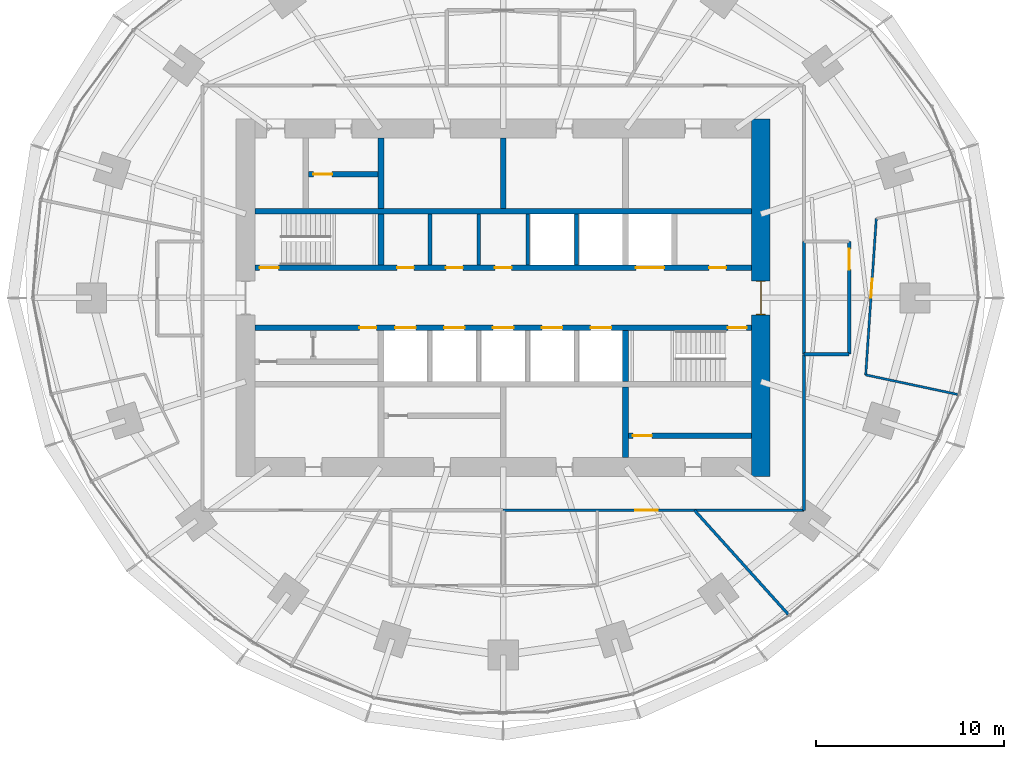
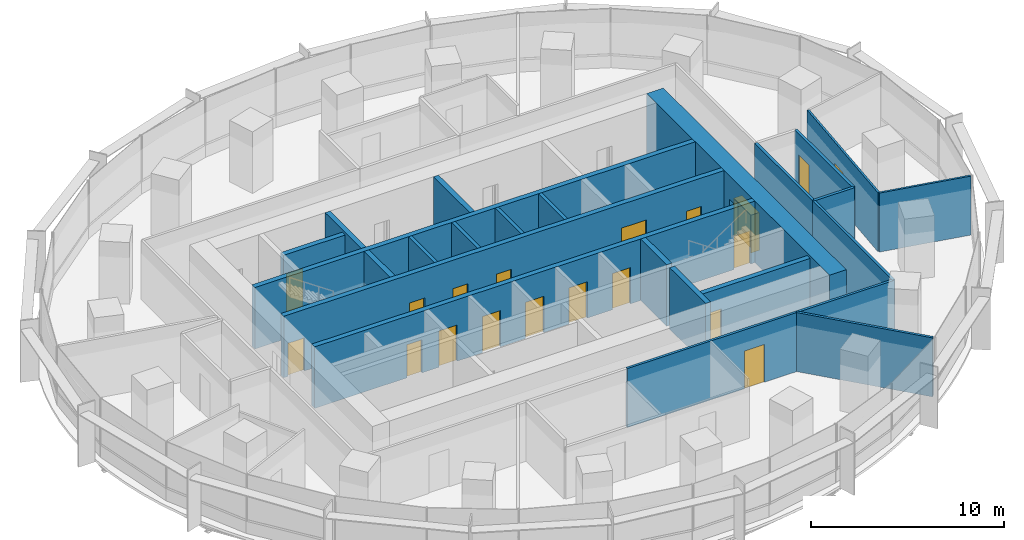
# One storey, part 11 of 14: 23 walls, 19 doors, 19 openings.
"""IFC4 building model written with IfcOpenShell, lengths in metres."""

from ifc_helpers import new_model, si_unit, direction, frame, frame_2d, origin, place, context, subcontext, project, spatial, rectangle, extrude, material, layer, layer_set, type_object, element, fill, save


model = new_model("IFC4")

# Units and contexts
model_context = context("Model", 3, precision=1e-05, world=origin(), true_north=direction((0.0, 1.0)))
body_context = subcontext(model_context, "Body", "Model", "MODEL_VIEW")
ifc_project = project(units=[si_unit("LENGTHUNIT", "METRE"), si_unit("AREAUNIT", "SQUARE_METRE"), si_unit("VOLUMEUNIT", "CUBIC_METRE"), si_unit("PLANEANGLEUNIT", "RADIAN"), si_unit("MASSUNIT", "GRAM", prefix="KILO")], contexts=[model_context])

# Site, building, storey
site_placement = place(None, origin())
site = spatial("IfcSite", under=ifc_project, at=site_placement, CompositionType="ELEMENT")
building_placement = place(site_placement, origin())
building = spatial("IfcBuilding", under=site, at=building_placement, Name="Marramba Exchange Tower", CompositionType="ELEMENT")
storey_placement = place(building_placement, frame((0.0, 0.0, 119.699951171875)))
storey = spatial("IfcBuildingStorey", under=building, at=storey_placement, Name="L28", CompositionType="ELEMENT", Elevation=119.699951171875)

# Walls
ifc_material_1 = material(Name="Plasterboard on staggered double steel studs, acoustic insulation", Category="steel")
ifc_layer_1 = layer(ifc_material_1, 0.169921875)
ifc_layer_set_1 = layer_set([ifc_layer_1], Name="Acoustic partition 170")
wall_type_1 = type_object("IfcWallType", Name="Acoustic partition 170", PredefinedType="PARTITIONING", material=ifc_layer_set_1)
wall_1_placement = place(storey_placement, frame((16.0, -3.0, 0.0), z_axis=(0.0, 0.0, 1.0), x_axis=(1.0, 0.0, 0.0)))
element("IfcWall", 1, at=wall_1_placement, inside=storey, type_object=wall_type_1, Name="Acoustic partition L28 18", PredefinedType="PARTITIONING", context=body_context, shape_type="SweptSolid", body=[
    extrude(rectangle(XDim=2.39990234375, YDim=0.169921875, at=frame_2d((1.199951171875, 0.0))), origin(), (0.0, 0.0, 1.0), 3.739990234375),
])
wall_2_placement = place(storey_placement, frame((16.0, 3.0, 0.0), z_axis=(0.0, 0.0, 1.0), x_axis=(0.0, -1.0, 0.0)))
element("IfcWall", 2, at=wall_2_placement, inside=storey, type_object=wall_type_1, Name="Acoustic partition L28 19", PredefinedType="PARTITIONING", context=body_context, shape_type="SweptSolid", body=[
    extrude(rectangle(XDim=6.0, YDim=0.169921875, at=frame_2d((3.0, 0.0))), origin(), (0.0, 0.0, 1.0), 3.739990234375),
])

# Wall, opening, door
wall_3_placement = place(storey_placement, frame((18.39990234375, -3.0, 0.0), z_axis=(0.0, 0.0, 1.0), x_axis=(0.0, 1.0, 0.0)))
wall_3 = element("IfcWall", 3, at=wall_3_placement, inside=storey, type_object=wall_type_1, Name="Acoustic partition L28 20", PredefinedType="PARTITIONING", context=body_context, shape_type="SweptSolid", body=[
    extrude(rectangle(XDim=6.0, YDim=0.169921875, at=frame_2d((3.0, 0.0))), origin(), (0.0, 0.0, 1.0), 3.739990234375),
])
opening_1_placement = place(wall_3_placement, frame((4.5, 0.0, 0.0)))
opening_1 = element("IfcOpeningElement", 4, at=opening_1_placement, cuts=wall_3, Name="Opening D15", PredefinedType="OPENING", context=body_context, shape_type="SweptSolid", body=[
    extrude(rectangle(XDim=1.10009765625, YDim=2.39990234375, at=frame_2d((0.550048828125, 1.199951171875))), frame((0.0, 0.094970703125, 0.0), z_axis=(0.0, -1.0, 0.0), x_axis=(1.0, 0.0, 0.0)), (0.0, 0.0, 1.0), 0.18994140625),
])
ifc_material_2 = material(Name="Timber door", Category="wood")
door_type_1 = type_object("IfcDoorType", Name="Glazed meeting room door 1100x2400", OperationType="SINGLE_SWING_LEFT", PredefinedType="DOOR", material=ifc_material_2)
door_1_placement = place(opening_1_placement, origin())
door_1 = element("IfcDoor", 5, at=door_1_placement, inside=storey, type_object=door_type_1, Name="D15 Meeting Room 1 L28", OperationType="SINGLE_SWING_RIGHT", OverallHeight=2.39990234375, OverallWidth=1.10009765625, PredefinedType="DOOR", context=body_context, shape_type="SweptSolid", body=[
    extrude(rectangle(XDim=1.10009765625, YDim=2.39990234375, at=frame_2d((0.550048828125, 1.199951171875))), frame((0.0, 0.02490234375, 0.0), z_axis=(0.0, -1.0, 0.0), x_axis=(1.0, 0.0, 0.0)), (0.0, 0.0, 1.0), 0.050048828125),
])
fill(opening_1, door_1)

# Walls
ifc_material_3 = material(Name="Concrete N50", Category="concrete")
ifc_layer_2 = layer(ifc_material_3, 0.199951171875)
ifc_layer_set_2 = layer_set([ifc_layer_2], Name="Core shaft wall 200")
wall_type_2 = type_object("IfcWallType", Name="Core shaft wall 200", PredefinedType="SHEAR", material=ifc_layer_set_2)
for number, where, z_axis, x_axis, name in (
    (6, (-3.89990234375, 1.75, 0.0), (0.0, 0.0, 1.0), (0.0, 1.0, 0.0), "Core wall SHN1 L28"),
    (7, (-1.300048828125, 1.75, 0.0), (0.0, 0.0, 1.0), (0.0, 1.0, 0.0), "Core wall SHN2 L28"),
    (8, (1.300048828125, 1.75, 0.0), (0.0, 0.0, 1.0), (0.0, 1.0, 0.0), "Core wall SHN3 L28"),
    (9, (3.89990234375, 1.75, 0.0), (0.0, 0.0, 1.0), (0.0, 1.0, 0.0), "Core wall SHN4 L28"),
):
    element("IfcWall", number, at=place(storey_placement, frame(where, z_axis=z_axis, x_axis=x_axis)), inside=storey, type_object=wall_type_2, Name=name, PredefinedType="SHEAR", context=body_context, shape_type="SweptSolid", body=[
        extrude(rectangle(XDim=2.699951171875, YDim=0.199951171875, at=frame_2d((1.35009765625, 0.0))), origin(), (0.0, 0.0, 1.0), 3.900146484375),
    ])

# Wall, opening, door
ifc_layer_3 = layer(ifc_material_3, 1.0)
ifc_layer_set_3 = layer_set([ifc_layer_3], Name="Core wall 1000")
wall_type_3 = type_object("IfcWallType", Name="Core wall 1000", PredefinedType="SHEAR", material=ifc_layer_set_3)
wall_4_placement = place(storey_placement, frame((13.699951171875, -9.5, 0.0), z_axis=(0.0, 0.0, 1.0), x_axis=(0.0, 1.0, 0.0)))
wall_4 = element("IfcWall", 10, at=wall_4_placement, inside=storey, type_object=wall_type_3, Name="Core wall E L28", PredefinedType="SHEAR", context=body_context, shape_type="SweptSolid", body=[
    extrude(rectangle(XDim=19.0, YDim=1.0, at=frame_2d((9.5, 0.0))), origin(), (0.0, 0.0, 1.0), 3.900146484375),
])
opening_2_placement = place(wall_4_placement, frame((8.60009765625, 0.0, 0.0)))
opening_2 = element("IfcOpeningElement", 11, at=opening_2_placement, cuts=wall_4, Name="Opening D1", PredefinedType="OPENING", context=body_context, shape_type="SweptSolid", body=[
    extrude(rectangle(XDim=1.800048828125, YDim=2.39990234375, at=frame_2d((0.89990234375, 1.199951171875))), frame((0.0, 0.510009765625, 0.0), z_axis=(0.0, -1.0, 0.0), x_axis=(1.0, 0.0, 0.0)), (0.0, 0.0, 1.0), 1.02001953125),
])
ifc_material_4 = material(Name="Steel-framed door", Category="steel")
door_type_2 = type_object("IfcDoorType", Name="Lobby exit door 1800x2400", OperationType="DOUBLE_DOOR_SINGLE_SWING", PredefinedType="DOOR", material=ifc_material_4)
door_2_placement = place(opening_2_placement, origin())
door_2 = element("IfcDoor", 12, at=door_2_placement, inside=storey, type_object=door_type_2, Name="D1 lobby exit east L28", OperationType="DOUBLE_DOOR_SINGLE_SWING", OverallHeight=2.39990234375, OverallWidth=1.800048828125, PredefinedType="DOOR", context=body_context, shape_type="SweptSolid", body=[
    extrude(rectangle(XDim=1.719970703125, YDim=2.35986328125, at=frame_2d((0.89990234375, 1.179931640625))), frame((0.0, 0.02490234375, 0.0), z_axis=(0.0, -1.0, 0.0), x_axis=(1.0, 0.0, 0.0)), (0.0, 0.0, 1.0), 0.050048828125),
    extrude(rectangle(XDim=0.04, YDim=2.39990234375, at=frame_2d((0.02001953125, 1.199951171875))), frame((0.0, 0.25, 0.0), z_axis=(0.0, -1.0, 0.0), x_axis=(1.0, 0.0, 0.0)), (0.0, 0.0, 1.0), 0.5),
    extrude(rectangle(XDim=0.04, YDim=2.39990234375, at=frame_2d((1.780029296875, 1.199951171875))), frame((0.0, 0.25, 0.0), z_axis=(0.0, -1.0, 0.0), x_axis=(1.0, 0.0, 0.0)), (0.0, 0.0, 1.0), 0.5),
    extrude(rectangle(XDim=1.719970703125, YDim=0.04, at=frame_2d((0.89990234375, 2.3798828125))), frame((0.0, 0.25, 0.0), z_axis=(0.0, -1.0, 0.0), x_axis=(1.0, 0.0, 0.0)), (0.0, 0.0, 1.0), 0.5),
])
fill(opening_2, door_2)

# Wall, openings, doors
ifc_layer_4 = layer(ifc_material_3, 0.300048828125)
ifc_layer_set_4 = layer_set([ifc_layer_4], Name="Core wall 300")
wall_type_4 = type_object("IfcWallType", Name="Core wall 300", PredefinedType="SHEAR", material=ifc_layer_set_4)
wall_5_placement = place(storey_placement, frame((-13.199951171875, 1.60009765625, 0.0), z_axis=(0.0, 0.0, 1.0), x_axis=(1.0, 0.0, 0.0)))
wall_5 = element("IfcWall", 13, at=wall_5_placement, inside=storey, type_object=wall_type_4, Name="Core wall LN L28", PredefinedType="SHEAR", context=body_context, shape_type="SweptSolid", body=[
    extrude(rectangle(XDim=26.39990234375, YDim=0.300048828125, at=frame_2d((13.199951171875, 0.0))), origin(), (0.0, 0.0, 1.0), 3.900146484375),
])
opening_3_placement = place(wall_5_placement, frame((0.25, 0.0, 0.0)))
opening_3 = element("IfcOpeningElement", 14, at=opening_3_placement, cuts=wall_5, Name="Opening D2", PredefinedType="OPENING", context=body_context, shape_type="SweptSolid", body=[
    extrude(rectangle(XDim=1.0, YDim=2.10009765625, at=frame_2d((0.5, 1.050048828125))), frame((0.0, 0.159912109375, 0.0), z_axis=(0.0, -1.0, 0.0), x_axis=(1.0, 0.0, 0.0)), (0.0, 0.0, 1.0), 0.320068359375),
])
opening_4_placement = place(wall_5_placement, frame((20.25, 0.0, 0.0)))
opening_4 = element("IfcOpeningElement", 15, at=opening_4_placement, cuts=wall_5, Name="Opening LD3", PredefinedType="OPENING", context=body_context, shape_type="SweptSolid", body=[
    extrude(rectangle(XDim=1.5, YDim=2.39990234375, at=frame_2d((0.75, 1.199951171875))), frame((0.0, 0.159912109375, 0.0), z_axis=(0.0, -1.0, 0.0), x_axis=(1.0, 0.0, 0.0)), (0.0, 0.0, 1.0), 0.320068359375),
])
opening_5_placement = place(wall_5_placement, frame((7.550048828125, 0.0, 0.0)))
opening_5 = element("IfcOpeningElement", 16, at=opening_5_placement, cuts=wall_5, Name="Opening D5", PredefinedType="OPENING", context=body_context, shape_type="SweptSolid", body=[
    extrude(rectangle(XDim=0.89990234375, YDim=2.10009765625, at=frame_2d((0.449951171875, 1.050048828125))), frame((0.0, 0.159912109375, 0.0), z_axis=(0.0, -1.0, 0.0), x_axis=(1.0, 0.0, 0.0)), (0.0, 0.0, 1.0), 0.320068359375),
])
opening_6_placement = place(wall_5_placement, frame((10.14990234375, 0.0, 0.0)))
opening_6 = element("IfcOpeningElement", 17, at=opening_6_placement, cuts=wall_5, Name="Opening D5", PredefinedType="OPENING", context=body_context, shape_type="SweptSolid", body=[
    extrude(rectangle(XDim=0.89990234375, YDim=2.10009765625, at=frame_2d((0.449951171875, 1.050048828125))), frame((0.0, 0.159912109375, 0.0), z_axis=(0.0, -1.0, 0.0), x_axis=(1.0, 0.0, 0.0)), (0.0, 0.0, 1.0), 0.320068359375),
])
opening_7_placement = place(wall_5_placement, frame((12.75, 0.0, 0.0)))
opening_7 = element("IfcOpeningElement", 18, at=opening_7_placement, cuts=wall_5, Name="Opening D5", PredefinedType="OPENING", context=body_context, shape_type="SweptSolid", body=[
    extrude(rectangle(XDim=0.89990234375, YDim=2.10009765625, at=frame_2d((0.449951171875, 1.050048828125))), frame((0.0, 0.159912109375, 0.0), z_axis=(0.0, -1.0, 0.0), x_axis=(1.0, 0.0, 0.0)), (0.0, 0.0, 1.0), 0.320068359375),
])
opening_8_placement = place(wall_5_placement, frame((24.14990234375, 0.0, 0.0)))
opening_8 = element("IfcOpeningElement", 19, at=opening_8_placement, cuts=wall_5, Name="Opening D5", PredefinedType="OPENING", context=body_context, shape_type="SweptSolid", body=[
    extrude(rectangle(XDim=0.89990234375, YDim=2.10009765625, at=frame_2d((0.449951171875, 1.050048828125))), frame((0.0, 0.159912109375, 0.0), z_axis=(0.0, -1.0, 0.0), x_axis=(1.0, 0.0, 0.0)), (0.0, 0.0, 1.0), 0.320068359375),
])
door_type_3 = type_object("IfcDoorType", Name="Goods lift landing door 1500x2400", OperationType="SLIDING_TO_LEFT", PredefinedType="DOOR", material=ifc_material_4)
door_3_placement = place(opening_4_placement, origin())
door_3 = element("IfcDoor", 20, at=door_3_placement, inside=storey, type_object=door_type_3, Name="GL1 landing door L28", OperationType="SLIDING_TO_LEFT", OverallHeight=2.39990234375, OverallWidth=1.5, PredefinedType="DOOR", context=body_context, shape_type="SweptSolid", body=[
    extrude(rectangle(XDim=1.5, YDim=2.39990234375, at=frame_2d((0.75, 1.199951171875))), frame((0.0, 0.02490234375, 0.0), z_axis=(0.0, -1.0, 0.0), x_axis=(1.0, 0.0, 0.0)), (0.0, 0.0, 1.0), 0.050048828125),
])
fill(opening_4, door_3)
door_type_4 = type_object("IfcDoorType", Name="Service door 900x2100", OperationType="SINGLE_SWING_LEFT", PredefinedType="DOOR", material=ifc_material_4)
door_4_placement = place(opening_5_placement, origin())
door_4 = element("IfcDoor", 21, at=door_4_placement, inside=storey, type_object=door_type_4, Name="D5 vending room L28", OperationType="SINGLE_SWING_RIGHT", OverallHeight=2.10009765625, OverallWidth=0.89990234375, PredefinedType="DOOR", context=body_context, shape_type="SweptSolid", body=[
    extrude(rectangle(XDim=0.89990234375, YDim=2.10009765625, at=frame_2d((0.449951171875, 1.050048828125))), frame((0.0, 0.02490234375, 0.0), z_axis=(0.0, -1.0, 0.0), x_axis=(1.0, 0.0, 0.0)), (0.0, 0.0, 1.0), 0.050048828125),
])
fill(opening_5, door_4)
door_5_placement = place(opening_6_placement, origin())
door_5 = element("IfcDoor", 22, at=door_5_placement, inside=storey, type_object=door_type_4, Name="D5 stationery store L28", OperationType="SINGLE_SWING_RIGHT", OverallHeight=2.10009765625, OverallWidth=0.89990234375, PredefinedType="DOOR", context=body_context, shape_type="SweptSolid", body=[
    extrude(rectangle(XDim=0.89990234375, YDim=2.10009765625, at=frame_2d((0.449951171875, 1.050048828125))), frame((0.0, 0.02490234375, 0.0), z_axis=(0.0, -1.0, 0.0), x_axis=(1.0, 0.0, 0.0)), (0.0, 0.0, 1.0), 0.050048828125),
])
fill(opening_6, door_5)
door_6_placement = place(opening_7_placement, origin())
door_6 = element("IfcDoor", 23, at=door_6_placement, inside=storey, type_object=door_type_4, Name="D5 switch room L28", OperationType="SINGLE_SWING_RIGHT", OverallHeight=2.10009765625, OverallWidth=0.89990234375, PredefinedType="DOOR", context=body_context, shape_type="SweptSolid", body=[
    extrude(rectangle(XDim=0.89990234375, YDim=2.10009765625, at=frame_2d((0.449951171875, 1.050048828125))), frame((0.0, 0.02490234375, 0.0), z_axis=(0.0, -1.0, 0.0), x_axis=(1.0, 0.0, 0.0)), (0.0, 0.0, 1.0), 0.050048828125),
])
fill(opening_7, door_6)
door_7_placement = place(opening_8_placement, origin())
door_7 = element("IfcDoor", 24, at=door_7_placement, inside=storey, type_object=door_type_4, Name="D5 riser L28", OperationType="SINGLE_SWING_RIGHT", OverallHeight=2.10009765625, OverallWidth=0.89990234375, PredefinedType="DOOR", context=body_context, shape_type="SweptSolid", body=[
    extrude(rectangle(XDim=0.89990234375, YDim=2.10009765625, at=frame_2d((0.449951171875, 1.050048828125))), frame((0.0, 0.02490234375, 0.0), z_axis=(0.0, -1.0, 0.0), x_axis=(1.0, 0.0, 0.0)), (0.0, 0.0, 1.0), 0.050048828125),
])
fill(opening_8, door_7)
door_type_5 = type_object("IfcDoorType", Name="Stair door 1000x2100", OperationType="SINGLE_SWING_LEFT", PredefinedType="DOOR", material=ifc_material_4)
door_8_placement = place(opening_3_placement, origin())
door_8 = element("IfcDoor", 25, at=door_8_placement, inside=storey, type_object=door_type_5, Name="D2 stair ST1 L28", OperationType="SINGLE_SWING_LEFT", OverallHeight=2.10009765625, OverallWidth=1.0, PredefinedType="DOOR", context=body_context, shape_type="SweptSolid", body=[
    extrude(rectangle(XDim=1.0, YDim=2.10009765625, at=frame_2d((0.5, 1.050048828125))), frame((0.0, 0.02490234375, 0.0), z_axis=(0.0, -1.0, 0.0), x_axis=(1.0, 0.0, 0.0)), (0.0, 0.0, 1.0), 0.050048828125),
])
fill(opening_3, door_8)

wall_6_placement = place(storey_placement, frame((-13.199951171875, -1.60009765625, 0.0), z_axis=(0.0, 0.0, 1.0), x_axis=(1.0, 0.0, 0.0)))
wall_6 = element("IfcWall", 26, at=wall_6_placement, inside=storey, type_object=wall_type_4, Name="Core wall LS L28", PredefinedType="SHEAR", context=body_context, shape_type="SweptSolid", body=[
    extrude(rectangle(XDim=26.39990234375, YDim=0.300048828125, at=frame_2d((13.199951171875, 0.0))), origin(), (0.0, 0.0, 1.0), 3.900146484375),
])
opening_9_placement = place(wall_6_placement, frame((25.14990234375, 0.0, 0.0)))
opening_9 = element("IfcOpeningElement", 27, at=opening_9_placement, cuts=wall_6, Name="Opening D2", PredefinedType="OPENING", context=body_context, shape_type="SweptSolid", body=[
    extrude(rectangle(XDim=1.0, YDim=2.10009765625, at=frame_2d((0.5, 1.050048828125))), frame((0.0, 0.159912109375, 0.0), z_axis=(0.0, -1.0, 0.0), x_axis=(1.0, 0.0, 0.0)), (0.0, 0.0, 1.0), 0.320068359375),
])
opening_10_placement = place(wall_6_placement, frame((7.449951171875, 0.0, 0.0)))
opening_10 = element("IfcOpeningElement", 28, at=opening_10_placement, cuts=wall_6, Name="Opening LD1", PredefinedType="OPENING", context=body_context, shape_type="SweptSolid", body=[
    extrude(rectangle(XDim=1.10009765625, YDim=2.300048828125, at=frame_2d((0.550048828125, 1.14990234375))), frame((0.0, 0.159912109375, 0.0), z_axis=(0.0, -1.0, 0.0), x_axis=(1.0, 0.0, 0.0)), (0.0, 0.0, 1.0), 0.320068359375),
])
opening_11_placement = place(wall_6_placement, frame((10.050048828125, 0.0, 0.0)))
opening_11 = element("IfcOpeningElement", 29, at=opening_11_placement, cuts=wall_6, Name="Opening LD1", PredefinedType="OPENING", context=body_context, shape_type="SweptSolid", body=[
    extrude(rectangle(XDim=1.10009765625, YDim=2.300048828125, at=frame_2d((0.550048828125, 1.14990234375))), frame((0.0, 0.159912109375, 0.0), z_axis=(0.0, -1.0, 0.0), x_axis=(1.0, 0.0, 0.0)), (0.0, 0.0, 1.0), 0.320068359375),
])
opening_12_placement = place(wall_6_placement, frame((12.64990234375, 0.0, 0.0)))
opening_12 = element("IfcOpeningElement", 30, at=opening_12_placement, cuts=wall_6, Name="Opening LD1", PredefinedType="OPENING", context=body_context, shape_type="SweptSolid", body=[
    extrude(rectangle(XDim=1.10009765625, YDim=2.300048828125, at=frame_2d((0.550048828125, 1.14990234375))), frame((0.0, 0.159912109375, 0.0), z_axis=(0.0, -1.0, 0.0), x_axis=(1.0, 0.0, 0.0)), (0.0, 0.0, 1.0), 0.320068359375),
])
opening_13_placement = place(wall_6_placement, frame((15.25, 0.0, 0.0)))
opening_13 = element("IfcOpeningElement", 31, at=opening_13_placement, cuts=wall_6, Name="Opening LD2", PredefinedType="OPENING", context=body_context, shape_type="SweptSolid", body=[
    extrude(rectangle(XDim=1.10009765625, YDim=2.300048828125, at=frame_2d((0.550048828125, 1.14990234375))), frame((0.0, 0.159912109375, 0.0), z_axis=(0.0, -1.0, 0.0), x_axis=(1.0, 0.0, 0.0)), (0.0, 0.0, 1.0), 0.320068359375),
])
opening_14_placement = place(wall_6_placement, frame((17.85009765625, 0.0, 0.0)))
opening_14 = element("IfcOpeningElement", 32, at=opening_14_placement, cuts=wall_6, Name="Opening LD2", PredefinedType="OPENING", context=body_context, shape_type="SweptSolid", body=[
    extrude(rectangle(XDim=1.10009765625, YDim=2.300048828125, at=frame_2d((0.550048828125, 1.14990234375))), frame((0.0, 0.159912109375, 0.0), z_axis=(0.0, -1.0, 0.0), x_axis=(1.0, 0.0, 0.0)), (0.0, 0.0, 1.0), 0.320068359375),
])
opening_15_placement = place(wall_6_placement, frame((5.550048828125, 0.0, 0.0)))
opening_15 = element("IfcOpeningElement", 33, at=opening_15_placement, cuts=wall_6, Name="Opening D5", PredefinedType="OPENING", context=body_context, shape_type="SweptSolid", body=[
    extrude(rectangle(XDim=0.89990234375, YDim=2.10009765625, at=frame_2d((0.449951171875, 1.050048828125))), frame((0.0, 0.159912109375, 0.0), z_axis=(0.0, -1.0, 0.0), x_axis=(1.0, 0.0, 0.0)), (0.0, 0.0, 1.0), 0.320068359375),
])
door_type_6 = type_object("IfcDoorType", Name="Emergency lift landing door 1100x2300", OperationType="SLIDING_TO_LEFT", PredefinedType="DOOR", material=ifc_material_4)
door_9_placement = place(opening_13_placement, frame((1.10009765625, 0.0, 0.0), z_axis=(0.0, 0.0, 1.0), x_axis=(-1.0, 0.0, 0.0)))
door_9 = element("IfcDoor", 34, at=door_9_placement, inside=storey, type_object=door_type_6, Name="FL1 landing door L28", OperationType="SLIDING_TO_RIGHT", OverallHeight=2.300048828125, OverallWidth=1.10009765625, PredefinedType="DOOR", context=body_context, shape_type="SweptSolid", body=[
    extrude(rectangle(XDim=1.10009765625, YDim=2.300048828125, at=frame_2d((0.550048828125, 1.14990234375))), frame((0.0, 0.025146484375, 0.0), z_axis=(0.0, -1.0, 0.0), x_axis=(1.0, 0.0, 0.0)), (0.0, 0.0, 1.0), 0.050048828125),
])
fill(opening_13, door_9)
door_10_placement = place(opening_14_placement, frame((1.10009765625, 0.0, 0.0), z_axis=(0.0, 0.0, 1.0), x_axis=(-1.0, 0.0, 0.0)))
door_10 = element("IfcDoor", 35, at=door_10_placement, inside=storey, type_object=door_type_6, Name="FL2 landing door L28", OperationType="SLIDING_TO_LEFT", OverallHeight=2.300048828125, OverallWidth=1.10009765625, PredefinedType="DOOR", context=body_context, shape_type="SweptSolid", body=[
    extrude(rectangle(XDim=1.10009765625, YDim=2.300048828125, at=frame_2d((0.550048828125, 1.14990234375))), frame((0.0, 0.025146484375, 0.0), z_axis=(0.0, -1.0, 0.0), x_axis=(1.0, 0.0, 0.0)), (0.0, 0.0, 1.0), 0.050048828125),
])
fill(opening_14, door_10)
door_type_7 = type_object("IfcDoorType", Name="Lift landing door 1100x2300", OperationType="SLIDING_TO_LEFT", PredefinedType="DOOR", material=ifc_material_4)
door_11_placement = place(opening_10_placement, frame((1.10009765625, 0.0, 0.0), z_axis=(0.0, 0.0, 1.0), x_axis=(-1.0, 0.0, 0.0)))
door_11 = element("IfcDoor", 36, at=door_11_placement, inside=storey, type_object=door_type_7, Name="LB1 landing door L28", OperationType="SLIDING_TO_LEFT", OverallHeight=2.300048828125, OverallWidth=1.10009765625, PredefinedType="DOOR", context=body_context, shape_type="SweptSolid", body=[
    extrude(rectangle(XDim=1.10009765625, YDim=2.300048828125, at=frame_2d((0.550048828125, 1.14990234375))), frame((0.0, 0.025146484375, 0.0), z_axis=(0.0, -1.0, 0.0), x_axis=(1.0, 0.0, 0.0)), (0.0, 0.0, 1.0), 0.050048828125),
])
fill(opening_10, door_11)
door_12_placement = place(opening_11_placement, frame((1.10009765625, 0.0, 0.0), z_axis=(0.0, 0.0, 1.0), x_axis=(-1.0, 0.0, 0.0)))
door_12 = element("IfcDoor", 37, at=door_12_placement, inside=storey, type_object=door_type_7, Name="LB2 landing door L28", OperationType="SLIDING_TO_RIGHT", OverallHeight=2.300048828125, OverallWidth=1.10009765625, PredefinedType="DOOR", context=body_context, shape_type="SweptSolid", body=[
    extrude(rectangle(XDim=1.10009765625, YDim=2.300048828125, at=frame_2d((0.550048828125, 1.14990234375))), frame((0.0, 0.025146484375, 0.0), z_axis=(0.0, -1.0, 0.0), x_axis=(1.0, 0.0, 0.0)), (0.0, 0.0, 1.0), 0.050048828125),
])
fill(opening_11, door_12)
door_13_placement = place(opening_12_placement, frame((1.10009765625, 0.0, 0.0), z_axis=(0.0, 0.0, 1.0), x_axis=(-1.0, 0.0, 0.0)))
door_13 = element("IfcDoor", 38, at=door_13_placement, inside=storey, type_object=door_type_7, Name="LB3 landing door L28", OperationType="SLIDING_TO_RIGHT", OverallHeight=2.300048828125, OverallWidth=1.10009765625, PredefinedType="DOOR", context=body_context, shape_type="SweptSolid", body=[
    extrude(rectangle(XDim=1.10009765625, YDim=2.300048828125, at=frame_2d((0.550048828125, 1.14990234375))), frame((0.0, 0.025146484375, 0.0), z_axis=(0.0, -1.0, 0.0), x_axis=(1.0, 0.0, 0.0)), (0.0, 0.0, 1.0), 0.050048828125),
])
fill(opening_12, door_13)
door_14_placement = place(opening_15_placement, frame((0.89990234375, 0.0, 0.0), z_axis=(0.0, 0.0, 1.0), x_axis=(-1.0, 0.0, 0.0)))
door_14 = element("IfcDoor", 39, at=door_14_placement, inside=storey, type_object=door_type_4, Name="D5 electrical riser L28", OperationType="SINGLE_SWING_LEFT", OverallHeight=2.10009765625, OverallWidth=0.89990234375, PredefinedType="DOOR", context=body_context, shape_type="SweptSolid", body=[
    extrude(rectangle(XDim=0.89990234375, YDim=2.10009765625, at=frame_2d((0.449951171875, 1.050048828125))), frame((0.0, 0.025146484375, 0.0), z_axis=(0.0, -1.0, 0.0), x_axis=(1.0, 0.0, 0.0)), (0.0, 0.0, 1.0), 0.050048828125),
])
fill(opening_15, door_14)
door_15_placement = place(opening_9_placement, frame((1.0, 0.0, 0.0), z_axis=(0.0, 0.0, 1.0), x_axis=(-1.0, 0.0, 0.0)))
door_15 = element("IfcDoor", 40, at=door_15_placement, inside=storey, type_object=door_type_5, Name="D2 stair ST2 L28", OperationType="SINGLE_SWING_LEFT", OverallHeight=2.10009765625, OverallWidth=1.0, PredefinedType="DOOR", context=body_context, shape_type="SweptSolid", body=[
    extrude(rectangle(XDim=1.0, YDim=2.10009765625, at=frame_2d((0.5, 1.050048828125))), frame((0.0, 0.025146484375, 0.0), z_axis=(0.0, -1.0, 0.0), x_axis=(1.0, 0.0, 0.0)), (0.0, 0.0, 1.0), 0.050048828125),
])
fill(opening_9, door_15)

# Walls
wall_7_placement = place(storey_placement, frame((-13.199951171875, 4.60009765625, 0.0), z_axis=(0.0, 0.0, 1.0), x_axis=(1.0, 0.0, 0.0)))
element("IfcWall", 41, at=wall_7_placement, inside=storey, type_object=wall_type_4, Name="Core wall BN L28", PredefinedType="SHEAR", context=body_context, shape_type="SweptSolid", body=[
    extrude(rectangle(XDim=26.39990234375, YDim=0.300048828125, at=frame_2d((13.199951171875, 0.0))), origin(), (0.0, 0.0, 1.0), 3.900146484375),
])
wall_8_placement = place(storey_placement, frame((-6.5, 1.75, 0.0), z_axis=(0.0, 0.0, 1.0), x_axis=(0.0, 1.0, 0.0)))
element("IfcWall", 42, at=wall_8_placement, inside=storey, type_object=wall_type_4, Name="Core wall X0Na L28", PredefinedType="SHEAR", context=body_context, shape_type="SweptSolid", body=[
    extrude(rectangle(XDim=2.699951171875, YDim=0.300048828125, at=frame_2d((1.35009765625, 0.0))), origin(), (0.0, 0.0, 1.0), 3.900146484375),
])
for number, where, z_axis, x_axis, name in (
    (43, (-6.5, 4.75, 0.0), (0.0, 0.0, 1.0), (0.0, 1.0, 0.0), "Core wall X0Nb L28"),
    (44, (0.0, 4.75, 0.0), (0.0, 0.0, 1.0), (0.0, 1.0, 0.0), "Core wall MN L28"),
):
    element("IfcWall", number, at=place(storey_placement, frame(where, z_axis=z_axis, x_axis=x_axis)), inside=storey, type_object=wall_type_4, Name=name, PredefinedType="SHEAR", context=body_context, shape_type="SweptSolid", body=[
        extrude(rectangle(XDim=3.75, YDim=0.300048828125, at=frame_2d((1.875, 0.0))), origin(), (0.0, 0.0, 1.0), 3.900146484375),
    ])
wall_9_placement = place(storey_placement, frame((6.5, -1.75, 0.0), z_axis=(0.0, 0.0, 1.0), x_axis=(0.0, -1.0, 0.0)))
element("IfcWall", 45, at=wall_9_placement, inside=storey, type_object=wall_type_4, Name="Core wall X1Sa L28", PredefinedType="SHEAR", context=body_context, shape_type="SweptSolid", body=[
    extrude(rectangle(XDim=2.699951171875, YDim=0.300048828125, at=frame_2d((1.35009765625, 0.0))), origin(), (0.0, 0.0, 1.0), 3.900146484375),
])
wall_10_placement = place(storey_placement, frame((6.5, -4.75, 0.0), z_axis=(0.0, 0.0, 1.0), x_axis=(0.0, -1.0, 0.0)))
element("IfcWall", 46, at=wall_10_placement, inside=storey, type_object=wall_type_4, Name="Core wall X1Sb L28", PredefinedType="SHEAR", context=body_context, shape_type="SweptSolid", body=[
    extrude(rectangle(XDim=3.75, YDim=0.300048828125, at=frame_2d((1.875, 0.0))), origin(), (0.0, 0.0, 1.0), 3.900146484375),
])
ifc_material_5 = material(Name="Plasterboard on steel studs", Category="steel")
ifc_layer_5 = layer(ifc_material_5, 0.1201171875)
ifc_layer_set_5 = layer_set([ifc_layer_5], Name="Partition 120")
wall_type_5 = type_object("IfcWallType", Name="Partition 120", PredefinedType="PARTITIONING", material=ifc_layer_set_5)
wall_11_placement = place(storey_placement, frame((19.277099609375, -4.097412109375, 0.0), z_axis=(0.0, 0.0, 1.0), x_axis=(0.978149046495, -0.207904888932, 0.0)))
element("IfcWall", 47, at=wall_11_placement, inside=storey, type_object=wall_type_5, Name="Partition L28 17", PredefinedType="PARTITIONING", context=body_context, shape_type="SweptSolid", body=[
    extrude(rectangle(XDim=5.000244140625, YDim=0.1201171875, at=frame_2d((2.5, 0.0))), origin(), (0.0, 0.0, 1.0), 3.739990234375),
])

# Wall, opening, door
wall_12_placement = place(storey_placement, frame((19.839599609375, 4.217041015625, 0.0), z_axis=(0.0, 0.0, 1.0), x_axis=(-0.067498983032, -0.997719342947, 0.0)))
wall_12 = element("IfcWall", 48, at=wall_12_placement, inside=storey, type_object=wall_type_5, Name="Partition L28 21", PredefinedType="PARTITIONING", context=body_context, shape_type="SweptSolid", body=[
    extrude(rectangle(XDim=8.33349609375, YDim=0.1201171875, at=frame_2d((4.166748046875, 0.0))), origin(), (0.0, 0.0, 1.0), 3.739990234375),
])
opening_16_placement = place(wall_12_placement, frame((3.214111328125, 0.0, 0.0)))
opening_16 = element("IfcOpeningElement", 49, at=opening_16_placement, cuts=wall_12, Name="Opening D9", PredefinedType="OPENING", context=body_context, shape_type="SweptSolid", body=[
    extrude(rectangle(XDim=1.0, YDim=2.39990234375, at=frame_2d((0.5, 1.199951171875))), frame((0.0, 0.070068359375, 0.0), z_axis=(0.0, -1.0, 0.0), x_axis=(1.0, 0.0, 0.0)), (0.0, 0.0, 1.0), 0.14013671875),
])
door_type_8 = type_object("IfcDoorType", Name="Room door 1000x2400", OperationType="SINGLE_SWING_LEFT", PredefinedType="DOOR", material=ifc_material_2)
door_16_placement = place(opening_16_placement, origin())
door_16 = element("IfcDoor", 50, at=door_16_placement, inside=storey, type_object=door_type_8, Name="D9 Office 1 L28", OperationType="SINGLE_SWING_LEFT", OverallHeight=2.39990234375, OverallWidth=1.0, PredefinedType="DOOR", context=body_context, shape_type="SweptSolid", body=[
    extrude(rectangle(XDim=1.0, YDim=2.39990234375, at=frame_2d((0.5, 1.199951171875))), frame((0.0, 0.02490234375, 0.0), z_axis=(0.0, -1.0, 0.0), x_axis=(1.0, 0.0, 0.0)), (0.0, 0.0, 1.0), 0.050048828125),
])
fill(opening_16, door_16)

ifc_material_6 = material(Name="Plasterboard on steel studs, insulated, unrated", Category="steel")
ifc_layer_6 = layer(ifc_material_6, 0.300048828125)
ifc_layer_set_6 = layer_set([ifc_layer_6], Name="Store partition 300")
wall_type_6 = type_object("IfcWallType", Name="Store partition 300", PredefinedType="PARTITIONING", material=ifc_layer_set_6)
wall_13_placement = place(storey_placement, frame((-10.35009765625, 6.580078125, 0.0), z_axis=(0.0, 0.0, 1.0), x_axis=(1.0, 0.0, 0.0)))
wall_13 = element("IfcWall", 51, at=wall_13_placement, inside=storey, type_object=wall_type_6, Name="Store partition L28 cleaner", PredefinedType="PARTITIONING", context=body_context, shape_type="SweptSolid", body=[
    extrude(rectangle(XDim=3.7001953125, YDim=0.300048828125, at=frame_2d((1.85009765625, 0.0))), origin(), (0.0, 0.0, 1.0), 3.739990234375),
])
opening_17_placement = place(wall_13_placement, frame((0.25, 0.0, 0.0)))
opening_17 = element("IfcOpeningElement", 52, at=opening_17_placement, cuts=wall_13, Name="Opening D9", PredefinedType="OPENING", context=body_context, shape_type="SweptSolid", body=[
    extrude(rectangle(XDim=1.0, YDim=2.39990234375, at=frame_2d((0.5, 1.199951171875))), frame((0.0, 0.159912109375, 0.0), z_axis=(0.0, -1.0, 0.0), x_axis=(1.0, 0.0, 0.0)), (0.0, 0.0, 1.0), 0.320068359375),
])
door_17_placement = place(opening_17_placement, frame((1.0, 0.0, 0.0), z_axis=(0.0, 0.0, 1.0), x_axis=(-1.0, 0.0, 0.0)))
door_17 = element("IfcDoor", 53, at=door_17_placement, inside=storey, type_object=door_type_8, Name="D9 cleaning store L28", OperationType="SINGLE_SWING_RIGHT", OverallHeight=2.39990234375, OverallWidth=1.0, PredefinedType="DOOR", context=body_context, shape_type="SweptSolid", body=[
    extrude(rectangle(XDim=1.0, YDim=2.39990234375, at=frame_2d((0.5, 1.199951171875))), frame((0.0, 0.025146484375, 0.0), z_axis=(0.0, -1.0, 0.0), x_axis=(1.0, 0.0, 0.0)), (0.0, 0.0, 1.0), 0.050048828125),
])
fill(opening_17, door_17)

wall_14_placement = place(storey_placement, frame((6.64990234375, -7.327880859375, 0.0), z_axis=(0.0, 0.0, 1.0), x_axis=(1.0, 0.0, 0.0)))
wall_14 = element("IfcWall", 54, at=wall_14_placement, inside=storey, type_object=wall_type_6, Name="Store partition L28 cstore", PredefinedType="PARTITIONING", context=body_context, shape_type="SweptSolid", body=[
    extrude(rectangle(XDim=6.550048828125, YDim=0.300048828125, at=frame_2d((3.27490234375, 0.0))), origin(), (0.0, 0.0, 1.0), 3.739990234375),
])
opening_18_placement = place(wall_14_placement, frame((0.25, 0.0, 0.0)))
opening_18 = element("IfcOpeningElement", 55, at=opening_18_placement, cuts=wall_14, Name="Opening D9", PredefinedType="OPENING", context=body_context, shape_type="SweptSolid", body=[
    extrude(rectangle(XDim=1.0, YDim=2.39990234375, at=frame_2d((0.5, 1.199951171875))), frame((0.0, 0.159912109375, 0.0), z_axis=(0.0, -1.0, 0.0), x_axis=(1.0, 0.0, 0.0)), (0.0, 0.0, 1.0), 0.320068359375),
])
door_18_placement = place(opening_18_placement, frame((1.0, 0.0, 0.0), z_axis=(0.0, 0.0, 1.0), x_axis=(-1.0, 0.0, 0.0)))
door_18 = element("IfcDoor", 56, at=door_18_placement, inside=storey, type_object=door_type_8, Name="D9 general store L28", OperationType="SINGLE_SWING_RIGHT", OverallHeight=2.39990234375, OverallWidth=1.0, PredefinedType="DOOR", context=body_context, shape_type="SweptSolid", body=[
    extrude(rectangle(XDim=1.0, YDim=2.39990234375, at=frame_2d((0.5, 1.199951171875))), frame((0.0, 0.025146484375, 0.0), z_axis=(0.0, -1.0, 0.0), x_axis=(1.0, 0.0, 0.0)), (0.0, 0.0, 1.0), 0.050048828125),
])
fill(opening_18, door_18)

ifc_material_7 = material(Name="Fire-rated plasterboard on steel studs, acoustic insulation", Category="steel")
ifc_layer_7 = layer(ifc_material_7, 0.14990234375)
ifc_layer_set_7 = layer_set([ifc_layer_7], Name="Tenancy wall 150")
wall_type_7 = type_object("IfcWallType", Name="Tenancy wall 150", PredefinedType="PARTITIONING", material=ifc_layer_set_7)
wall_15_placement = place(storey_placement, frame((0.0, -11.300048828125, 0.0), z_axis=(0.0, 0.0, 1.0), x_axis=(1.0, 0.0, 0.0)))
wall_15 = element("IfcWall", 57, at=wall_15_placement, inside=storey, type_object=wall_type_7, Name="Tenancy wall L28 14", PredefinedType="PARTITIONING", context=body_context, shape_type="SweptSolid", body=[
    extrude(rectangle(XDim=16.0, YDim=0.14990234375, at=frame_2d((8.0, 0.0))), origin(), (0.0, 0.0, 1.0), 3.739990234375),
])
opening_19_placement = place(wall_15_placement, frame((7.011962890625, 0.0, 0.0)))
opening_19 = element("IfcOpeningElement", 58, at=opening_19_placement, cuts=wall_15, Name="Opening D13", PredefinedType="OPENING", context=body_context, shape_type="SweptSolid", body=[
    extrude(rectangle(XDim=1.199951171875, YDim=2.39990234375, at=frame_2d((0.60009765625, 1.199951171875))), frame((0.0, 0.0849609375, 0.0), z_axis=(0.0, -1.0, 0.0), x_axis=(1.0, 0.0, 0.0)), (0.0, 0.0, 1.0), 0.169921875),
])
door_type_9 = type_object("IfcDoorType", Name="Tenancy entry door 1200x2400", OperationType="SINGLE_SWING_LEFT", PredefinedType="DOOR", material=ifc_material_4)
door_19_placement = place(opening_19_placement, origin())
door_19 = element("IfcDoor", 59, at=door_19_placement, inside=storey, type_object=door_type_9, Name="D13 Office 4 L28", OperationType="SINGLE_SWING_RIGHT", OverallHeight=2.39990234375, OverallWidth=1.199951171875, PredefinedType="DOOR", context=body_context, shape_type="SweptSolid", body=[
    extrude(rectangle(XDim=1.199951171875, YDim=2.39990234375, at=frame_2d((0.60009765625, 1.199951171875))), frame((0.0, 0.02490234375, 0.0), z_axis=(0.0, -1.0, 0.0), x_axis=(1.0, 0.0, 0.0)), (0.0, 0.0, 1.0), 0.050048828125),
])
fill(opening_19, door_19)

# Walls
wall_16_placement = place(storey_placement, frame((15.156005859375, -16.83251953125, 0.0), z_axis=(0.0, 0.0, 1.0), x_axis=(-0.669129591277, 0.74314573946, 0.0)))
element("IfcWall", 60, at=wall_16_placement, inside=storey, type_object=wall_type_7, Name="Tenancy wall L28 15", PredefinedType="PARTITIONING", context=body_context, shape_type="SweptSolid", body=[
    extrude(rectangle(XDim=7.444580078125, YDim=0.14990234375, at=frame_2d((3.72216796875, 0.0))), origin(), (0.0, 0.0, 1.0), 3.739990234375),
])
wall_17_placement = place(storey_placement, frame((16.0, -11.300048828125, 0.0), z_axis=(0.0, 0.0, 1.0), x_axis=(0.0, 1.0, 0.0)))
element("IfcWall", 61, at=wall_17_placement, inside=storey, type_object=wall_type_7, Name="Tenancy wall L28 16", PredefinedType="PARTITIONING", context=body_context, shape_type="SweptSolid", body=[
    extrude(rectangle(XDim=8.300048828125, YDim=0.14990234375, at=frame_2d((4.14990234375, 0.0))), origin(), (0.0, 0.0, 1.0), 3.739990234375),
])

save(model, "model.ifc")
